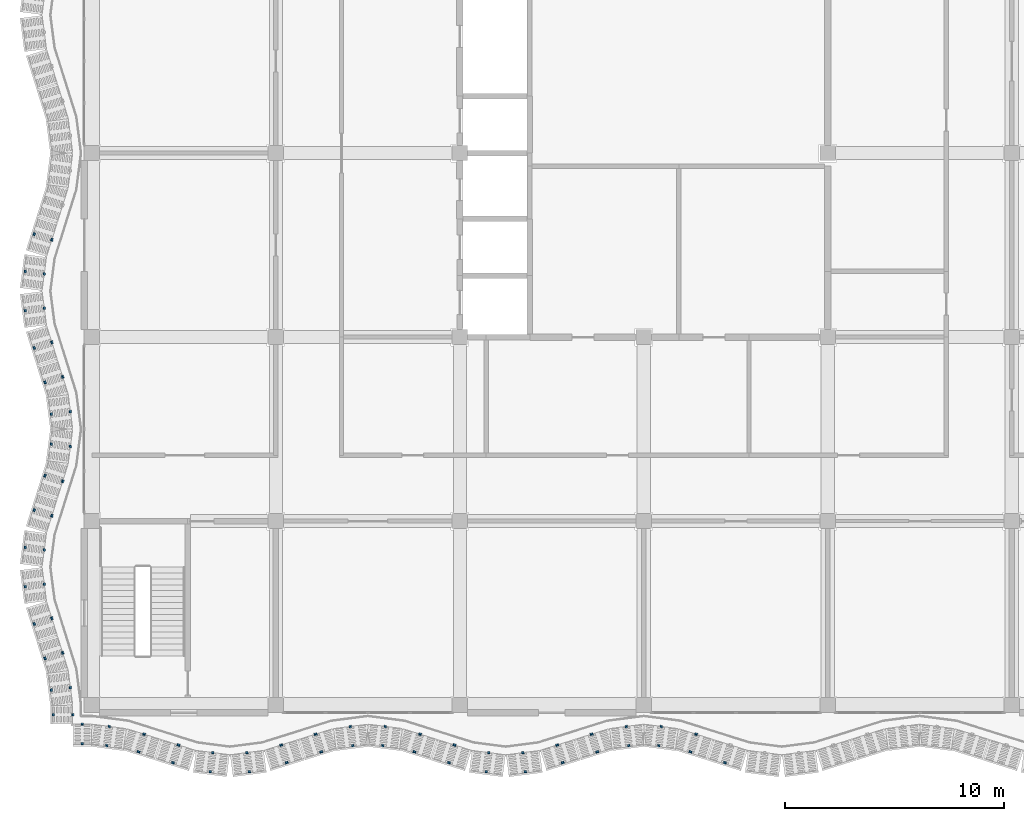
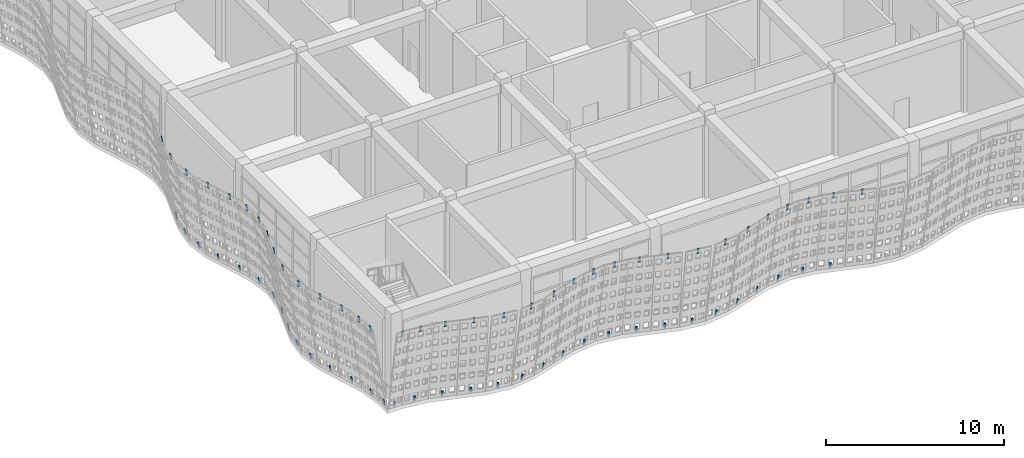
# One storey, part 134 of 210: 69 discrete accessories.
"""IFC4 building model written with IfcOpenShell, lengths in metres."""

from ifc_helpers import new_model, si_unit, direction, frame, origin, origin_2d, place, context, subcontext, project, spatial, rectangle, extrude, material, material_profile, profile_set, type_object, element, save


model = new_model("IFC4")

# Units and contexts
model_context = context("Model", 3, precision=1e-05, world=origin(), true_north=direction((0.0, 1.0)))
body_context = subcontext(model_context, "Body", "Model", "MODEL_VIEW")
ifc_project = project(units=[si_unit("LENGTHUNIT", "METRE"), si_unit("AREAUNIT", "SQUARE_METRE"), si_unit("VOLUMEUNIT", "CUBIC_METRE"), si_unit("PLANEANGLEUNIT", "RADIAN"), si_unit("MASSUNIT", "GRAM", prefix="KILO")], contexts=[model_context])

# Site, building, storey
site_placement = place(None, origin())
site = spatial("IfcSite", under=ifc_project, at=site_placement, CompositionType="ELEMENT")
building_placement = place(site_placement, origin())
building = spatial("IfcBuilding", under=site, at=building_placement, Name="Rain Tree Exposition and Congress Centre", CompositionType="ELEMENT")
storey_placement = place(building_placement, origin())
storey = spatial("IfcBuildingStorey", under=building, at=storey_placement, Name="L00", CompositionType="ELEMENT", Elevation=0.0)

# Discrete accessories
ifc_material = material(Name="Steel S355J2", Category="steel")
ifc_material_profile = material_profile(ifc_material, rectangle(XDim=0.1201171875, YDim=0.050048828125, at=origin_2d()), Name="Flat bar 120x50")
ifc_profile_set = profile_set([ifc_material_profile], Name="Steel S355J2")
discrete_accessory_type = type_object("IfcDiscreteAccessoryType", Name="Screen bracket 120x50", PredefinedType="BRACKET", material=ifc_profile_set)
for number, where, z_axis, x_axis, name in (
    (1, (0.687744140625, -1.818603515625, 5.351318359375), (-0.020749404626, -0.160502747552, 0.986817272972), (0.991746960377, -0.128210633661, 0.0), "wing/bracket/L00/0011t"),
    (2, (0.80078125, -0.94970703125, 0.00390625), (-0.020749404626, -0.160502747552, 0.986817272972), (0.991746960377, -0.128210633661, 0.0), "wing/bracket/L00/0011b"),
):
    element("IfcDiscreteAccessory", number, at=place(storey_placement, frame(where, z_axis=z_axis, x_axis=x_axis)), inside=storey, type_object=discrete_accessory_type, Name=name, PredefinedType="BRACKET", context=body_context, shape_type="SweptSolid", body=[
        extrude(rectangle(XDim=0.1201171875, YDim=0.050048828125, at=origin_2d()), origin(), (0.0, 0.0, 1.0), 0.400146484375),
    ])
for number, where, z_axis, x_axis, name in (
    (3, (2.140869140625, -2.10791015625, 5.35107421875), (-0.047009791021, -0.14835557426, 0.987816128201), (0.953285755706, -0.302069971973, 0.0), "wing/bracket/L00/0021t"),
    (4, (2.3935546875, -1.3037109375, 0.00390625), (-0.046400597335, -0.148359804637, 0.987844295896), (0.954410065476, -0.298498621301, 0.0), "wing/bracket/L00/0021b"),
    (5, (3.71240234375, -2.601806640625, 5.35107421875), (-0.046396386353, -0.148956819344, 0.987754646309), (0.954758063246, -0.297383659044, 0.0), "wing/bracket/L00/0031t"),
    (6, (3.965087890625, -1.797607421875, 0.00390625), (-0.046400597335, -0.148359804637, 0.987844295896), (0.954410065476, -0.298498621301, 0.0), "wing/bracket/L00/0031b"),
):
    element("IfcDiscreteAccessory", number, at=place(storey_placement, frame(where, z_axis=z_axis, x_axis=x_axis)), inside=storey, type_object=discrete_accessory_type, Name=name, PredefinedType="BRACKET", context=body_context, shape_type="SweptSolid", body=[
        extrude(rectangle(XDim=0.1201171875, YDim=0.050048828125, at=origin_2d()), origin(), (0.0, 0.0, 1.0), 0.39990234375),
    ])
for number, where, z_axis, x_axis, name in (
    (7, (5.4111328125, -3.013427734375, 5.351318359375), (-0.021359406786, -0.160500685277, 0.986804593507), (0.991260787426, -0.131916834829, 0.0), "wing/bracket/L00/0041t"),
    (8, (5.524169921875, -2.144287109375, 0.00390625), (-0.020749404626, -0.160502747552, 0.986817272972), (0.991746960377, -0.128210633661, 0.0), "wing/bracket/L00/0041b"),
    (9, (7.18896484375, -3.013427734375, 5.351318359375), (0.020749404626, -0.160502747552, 0.986817272972), (0.991746960377, 0.128210633661, 0.0), "wing/bracket/L00/0051t"),
    (10, (7.07568359375, -2.144287109375, 0.00390625), (0.020749404626, -0.160502747552, 0.986817272972), (0.991746960377, 0.128210633661, 0.0), "wing/bracket/L00/0051b"),
):
    element("IfcDiscreteAccessory", number, at=place(storey_placement, frame(where, z_axis=z_axis, x_axis=x_axis)), inside=storey, type_object=discrete_accessory_type, Name=name, PredefinedType="BRACKET", context=body_context, shape_type="SweptSolid", body=[
        extrude(rectangle(XDim=0.1201171875, YDim=0.050048828125, at=origin_2d()), origin(), (0.0, 0.0, 1.0), 0.400146484375),
    ])
for number, where, z_axis, x_axis, name in (
    (11, (8.887451171875, -2.601806640625, 5.35107421875), (0.047005524996, -0.148952572715, 0.987726486281), (0.953641715318, 0.300944311801, 0.0), "wing/bracket/L00/0061t"),
    (12, (8.634765625, -1.797607421875, 0.00390625), (0.046400597335, -0.148359804637, 0.987844295896), (0.954410065476, 0.298498621301, 0.0), "wing/bracket/L00/0061b"),
    (13, (10.459228515625, -2.10791015625, 5.35107421875), (0.046400597335, -0.148359804637, 0.987844295896), (0.954410065476, 0.298498621301, 0.0), "wing/bracket/L00/0071t"),
    (14, (10.206298828125, -1.3037109375, 0.00390625), (0.047009791021, -0.14835557426, 0.987816128201), (0.953285755706, 0.302069971973, 0.0), "wing/bracket/L00/0071b"),
):
    element("IfcDiscreteAccessory", number, at=place(storey_placement, frame(where, z_axis=z_axis, x_axis=x_axis)), inside=storey, type_object=discrete_accessory_type, Name=name, PredefinedType="BRACKET", context=body_context, shape_type="SweptSolid", body=[
        extrude(rectangle(XDim=0.1201171875, YDim=0.050048828125, at=origin_2d()), origin(), (0.0, 0.0, 1.0), 0.39990234375),
    ])
for number, where, z_axis, x_axis, name in (
    (15, (11.912109375, -1.818603515625, 5.351318359375), (0.021359406786, -0.160500685277, 0.986804593507), (0.991260787426, 0.131916834829, 0.0), "wing/bracket/L00/0081t"),
    (16, (11.799072265625, -0.94970703125, 0.00390625), (0.021359406786, -0.160500685277, 0.986804593507), (0.991260787426, 0.131916834829, 0.0), "wing/bracket/L00/0081b"),
    (17, (13.287841796875, -1.818603515625, 5.351318359375), (-0.021359406786, -0.160500685277, 0.986804593507), (0.991260787426, -0.131916834829, 0.0), "wing/bracket/L00/0091t"),
    (18, (13.40087890625, -0.94970703125, 0.00390625), (-0.020749404626, -0.160502747552, 0.986817272972), (0.991746960377, -0.128210633661, 0.0), "wing/bracket/L00/0091b"),
):
    element("IfcDiscreteAccessory", number, at=place(storey_placement, frame(where, z_axis=z_axis, x_axis=x_axis)), inside=storey, type_object=discrete_accessory_type, Name=name, PredefinedType="BRACKET", context=body_context, shape_type="SweptSolid", body=[
        extrude(rectangle(XDim=0.1201171875, YDim=0.050048828125, at=origin_2d()), origin(), (0.0, 0.0, 1.0), 0.400146484375),
    ])
for number, where, z_axis, x_axis, name in (
    (19, (14.74072265625, -2.10791015625, 5.35107421875), (-0.046400597335, -0.148359804637, 0.987844295896), (0.954410065476, -0.298498621301, 0.0), "wing/bracket/L00/0101t"),
    (20, (14.99365234375, -1.3037109375, 0.00390625), (-0.047009791021, -0.14835557426, 0.987816128201), (0.953285755706, -0.302069971973, 0.0), "wing/bracket/L00/0101b"),
    (21, (16.3125, -2.601806640625, 5.35107421875), (-0.047005524996, -0.148952572715, 0.987726486281), (0.953641715318, -0.300944311801, 0.0), "wing/bracket/L00/0111t"),
    (22, (16.565185546875, -1.797607421875, 0.00390625), (-0.046400597335, -0.148359804637, 0.987844295896), (0.954410065476, -0.298498621301, 0.0), "wing/bracket/L00/0111b"),
):
    element("IfcDiscreteAccessory", number, at=place(storey_placement, frame(where, z_axis=z_axis, x_axis=x_axis)), inside=storey, type_object=discrete_accessory_type, Name=name, PredefinedType="BRACKET", context=body_context, shape_type="SweptSolid", body=[
        extrude(rectangle(XDim=0.1201171875, YDim=0.050048828125, at=origin_2d()), origin(), (0.0, 0.0, 1.0), 0.39990234375),
    ])
for number, where, z_axis, x_axis, name in (
    (23, (18.010986328125, -3.013427734375, 5.351318359375), (-0.020749404626, -0.160502747552, 0.986817272972), (0.991746960377, -0.128210633661, 0.0), "wing/bracket/L00/0121t"),
    (24, (18.124267578125, -2.144287109375, 0.00390625), (-0.020749404626, -0.160502747552, 0.986817272972), (0.991746960377, -0.128210633661, 0.0), "wing/bracket/L00/0121b"),
    (25, (19.788818359375, -3.013427734375, 5.351318359375), (0.021359406786, -0.160500685277, 0.986804593507), (0.991260787426, 0.131916834829, 0.0), "wing/bracket/L00/0131t"),
    (26, (19.67578125, -2.144287109375, 0.00390625), (0.020749404626, -0.160502747552, 0.986817272972), (0.991746960377, 0.128210633661, 0.0), "wing/bracket/L00/0131b"),
):
    element("IfcDiscreteAccessory", number, at=place(storey_placement, frame(where, z_axis=z_axis, x_axis=x_axis)), inside=storey, type_object=discrete_accessory_type, Name=name, PredefinedType="BRACKET", context=body_context, shape_type="SweptSolid", body=[
        extrude(rectangle(XDim=0.1201171875, YDim=0.050048828125, at=origin_2d()), origin(), (0.0, 0.0, 1.0), 0.400146484375),
    ])
for number, where, z_axis, x_axis, name in (
    (27, (21.487548828125, -2.601806640625, 5.35107421875), (0.046396386353, -0.148956819344, 0.987754646309), (0.954758063246, 0.297383659044, 0.0), "wing/bracket/L00/0141t"),
    (28, (21.23486328125, -1.797607421875, 0.00390625), (0.046400597335, -0.148359804637, 0.987844295896), (0.954410065476, 0.298498621301, 0.0), "wing/bracket/L00/0141b"),
    (29, (23.05908203125, -2.10791015625, 5.35107421875), (0.047009791021, -0.14835557426, 0.987816128201), (0.953285755706, 0.302069971973, 0.0), "wing/bracket/L00/0151t"),
    (30, (22.806396484375, -1.3037109375, 0.00390625), (0.047009791021, -0.14835557426, 0.987816128201), (0.953285755706, 0.302069971973, 0.0), "wing/bracket/L00/0151b"),
):
    element("IfcDiscreteAccessory", number, at=place(storey_placement, frame(where, z_axis=z_axis, x_axis=x_axis)), inside=storey, type_object=discrete_accessory_type, Name=name, PredefinedType="BRACKET", context=body_context, shape_type="SweptSolid", body=[
        extrude(rectangle(XDim=0.1201171875, YDim=0.050048828125, at=origin_2d()), origin(), (0.0, 0.0, 1.0), 0.39990234375),
    ])
for number, where, z_axis, x_axis, name in (
    (31, (24.51220703125, -1.818603515625, 5.351318359375), (0.020749404626, -0.160502747552, 0.986817272972), (0.991746960377, 0.128210633661, 0.0), "wing/bracket/L00/0161t"),
    (32, (24.399169921875, -0.94970703125, 0.00390625), (0.020749404626, -0.160502747552, 0.986817272972), (0.991746960377, 0.128210633661, 0.0), "wing/bracket/L00/0161b"),
    (33, (25.8876953125, -1.818603515625, 5.351318359375), (-0.020749404626, -0.160502747552, 0.986817272972), (0.991746960377, -0.128210633661, 0.0), "wing/bracket/L00/0171t"),
    (34, (26.0009765625, -0.94970703125, 0.00390625), (-0.021359406786, -0.160500685277, 0.986804593507), (0.991260787426, -0.131916834829, 0.0), "wing/bracket/L00/0171b"),
):
    element("IfcDiscreteAccessory", number, at=place(storey_placement, frame(where, z_axis=z_axis, x_axis=x_axis)), inside=storey, type_object=discrete_accessory_type, Name=name, PredefinedType="BRACKET", context=body_context, shape_type="SweptSolid", body=[
        extrude(rectangle(XDim=0.1201171875, YDim=0.050048828125, at=origin_2d()), origin(), (0.0, 0.0, 1.0), 0.400146484375),
    ])
for number, where, z_axis, x_axis, name in (
    (35, (27.3408203125, -2.10791015625, 5.35107421875), (-0.047009791021, -0.14835557426, 0.987816128201), (0.953285755706, -0.302069971973, 0.0), "wing/bracket/L00/0181t"),
    (36, (27.593505859375, -1.3037109375, 0.00390625), (-0.046400597335, -0.148359804637, 0.987844295896), (0.954410065476, -0.298498621301, 0.0), "wing/bracket/L00/0181b"),
    (37, (28.91259765625, -2.601806640625, 5.35107421875), (-0.047005524996, -0.148952572715, 0.987726486281), (0.953641715318, -0.300944311801, 0.0), "wing/bracket/L00/0191t"),
    (38, (-2.601806640625, 21.487548828125, 5.35107421875), (-0.148956819344, 0.046396386353, 0.987754646309), (-0.297383659044, -0.954758063246, 0.0), "wing/bracket/L00/1211t"),
    (39, (-1.797607421875, 21.23486328125, 0.00390625), (-0.148359804637, 0.046400597335, 0.987844295896), (-0.298498621301, -0.954410065476, 0.0), "wing/bracket/L00/1211b"),
):
    element("IfcDiscreteAccessory", number, at=place(storey_placement, frame(where, z_axis=z_axis, x_axis=x_axis)), inside=storey, type_object=discrete_accessory_type, Name=name, PredefinedType="BRACKET", context=body_context, shape_type="SweptSolid", body=[
        extrude(rectangle(XDim=0.1201171875, YDim=0.050048828125, at=origin_2d()), origin(), (0.0, 0.0, 1.0), 0.39990234375),
    ])
for number, where, z_axis, x_axis, name in (
    (40, (-3.013427734375, 19.788818359375, 5.351318359375), (-0.160500685277, 0.021359406786, 0.986804593507), (-0.131916834829, -0.991260787426, 0.0), "wing/bracket/L00/1221t"),
    (41, (-2.144287109375, 19.67578125, 0.00390625), (-0.160502747552, 0.020749404626, 0.986817272972), (-0.128210633661, -0.991746960377, 0.0), "wing/bracket/L00/1221b"),
    (42, (-3.013427734375, 18.010986328125, 5.351318359375), (-0.160502747552, -0.020749404626, 0.986817272972), (0.128210633661, -0.991746960377, 0.0), "wing/bracket/L00/1231t"),
    (43, (-2.144287109375, 18.124267578125, 0.00390625), (-0.160502747552, -0.020749404626, 0.986817272972), (0.128210633661, -0.991746960377, 0.0), "wing/bracket/L00/1231b"),
):
    element("IfcDiscreteAccessory", number, at=place(storey_placement, frame(where, z_axis=z_axis, x_axis=x_axis)), inside=storey, type_object=discrete_accessory_type, Name=name, PredefinedType="BRACKET", context=body_context, shape_type="SweptSolid", body=[
        extrude(rectangle(XDim=0.1201171875, YDim=0.050048828125, at=origin_2d()), origin(), (0.0, 0.0, 1.0), 0.400146484375),
    ])
for number, where, z_axis, x_axis, name in (
    (44, (-2.601806640625, 16.3125, 5.35107421875), (-0.148952572715, -0.047005524996, 0.987726486281), (0.300944311801, -0.953641715318, 0.0), "wing/bracket/L00/1241t"),
    (45, (-1.797607421875, 16.565185546875, 0.00390625), (-0.148359804637, -0.046400597335, 0.987844295896), (0.298498621301, -0.954410065476, 0.0), "wing/bracket/L00/1241b"),
    (46, (-2.10791015625, 14.74072265625, 5.35107421875), (-0.148359804637, -0.046400597335, 0.987844295896), (0.298498621301, -0.954410065476, 0.0), "wing/bracket/L00/1251t"),
    (47, (-1.3037109375, 14.99365234375, 0.00390625), (-0.14835557426, -0.047009791021, 0.987816128201), (0.302069971973, -0.953285755706, 0.0), "wing/bracket/L00/1251b"),
):
    element("IfcDiscreteAccessory", number, at=place(storey_placement, frame(where, z_axis=z_axis, x_axis=x_axis)), inside=storey, type_object=discrete_accessory_type, Name=name, PredefinedType="BRACKET", context=body_context, shape_type="SweptSolid", body=[
        extrude(rectangle(XDim=0.1201171875, YDim=0.050048828125, at=origin_2d()), origin(), (0.0, 0.0, 1.0), 0.39990234375),
    ])
for number, where, z_axis, x_axis, name in (
    (48, (-1.818603515625, 13.287841796875, 5.351318359375), (-0.160500685277, -0.021359406786, 0.986804593507), (0.131916834829, -0.991260787426, 0.0), "wing/bracket/L00/1261t"),
    (49, (-0.94970703125, 13.40087890625, 0.00390625), (-0.160502747552, -0.020749404626, 0.986817272972), (0.128210633661, -0.991746960377, 0.0), "wing/bracket/L00/1261b"),
    (50, (-1.818603515625, 11.912109375, 5.351318359375), (-0.160500685277, 0.021359406786, 0.986804593507), (-0.131916834829, -0.991260787426, 0.0), "wing/bracket/L00/1271t"),
    (51, (-0.94970703125, 11.799072265625, 0.00390625), (-0.160500685277, 0.021359406786, 0.986804593507), (-0.131916834829, -0.991260787426, 0.0), "wing/bracket/L00/1271b"),
):
    element("IfcDiscreteAccessory", number, at=place(storey_placement, frame(where, z_axis=z_axis, x_axis=x_axis)), inside=storey, type_object=discrete_accessory_type, Name=name, PredefinedType="BRACKET", context=body_context, shape_type="SweptSolid", body=[
        extrude(rectangle(XDim=0.1201171875, YDim=0.050048828125, at=origin_2d()), origin(), (0.0, 0.0, 1.0), 0.400146484375),
    ])
for number, where, z_axis, x_axis, name in (
    (52, (-2.10791015625, 10.459228515625, 5.35107421875), (-0.148359804637, 0.046400597335, 0.987844295896), (-0.298498621301, -0.954410065476, 0.0), "wing/bracket/L00/1281t"),
    (53, (-1.3037109375, 10.206298828125, 0.00390625), (-0.14835557426, 0.047009791021, 0.987816128201), (-0.302069971973, -0.953285755706, 0.0), "wing/bracket/L00/1281b"),
    (54, (-2.601806640625, 8.887451171875, 5.35107421875), (-0.148952572715, 0.047005524996, 0.987726486281), (-0.300944311801, -0.953641715318, 0.0), "wing/bracket/L00/1291t"),
    (55, (-1.797607421875, 8.634765625, 0.00390625), (-0.148359804637, 0.046400597335, 0.987844295896), (-0.298498621301, -0.954410065476, 0.0), "wing/bracket/L00/1291b"),
):
    element("IfcDiscreteAccessory", number, at=place(storey_placement, frame(where, z_axis=z_axis, x_axis=x_axis)), inside=storey, type_object=discrete_accessory_type, Name=name, PredefinedType="BRACKET", context=body_context, shape_type="SweptSolid", body=[
        extrude(rectangle(XDim=0.1201171875, YDim=0.050048828125, at=origin_2d()), origin(), (0.0, 0.0, 1.0), 0.39990234375),
    ])
for number, where, z_axis, x_axis, name in (
    (56, (-3.013427734375, 7.18896484375, 5.351318359375), (-0.160502747552, 0.020749404626, 0.986817272972), (-0.128210633661, -0.991746960377, 0.0), "wing/bracket/L00/1301t"),
    (57, (-2.144287109375, 7.07568359375, 0.00390625), (-0.160502747552, 0.020749404626, 0.986817272972), (-0.128210633661, -0.991746960377, 0.0), "wing/bracket/L00/1301b"),
    (58, (-3.013427734375, 5.4111328125, 5.351318359375), (-0.160500685277, -0.021359406786, 0.986804593507), (0.131916834829, -0.991260787426, 0.0), "wing/bracket/L00/1311t"),
    (59, (-2.144287109375, 5.524169921875, 0.00390625), (-0.160502747552, -0.020749404626, 0.986817272972), (0.128210633661, -0.991746960377, 0.0), "wing/bracket/L00/1311b"),
):
    element("IfcDiscreteAccessory", number, at=place(storey_placement, frame(where, z_axis=z_axis, x_axis=x_axis)), inside=storey, type_object=discrete_accessory_type, Name=name, PredefinedType="BRACKET", context=body_context, shape_type="SweptSolid", body=[
        extrude(rectangle(XDim=0.1201171875, YDim=0.050048828125, at=origin_2d()), origin(), (0.0, 0.0, 1.0), 0.400146484375),
    ])
for number, where, z_axis, x_axis, name in (
    (60, (-2.601806640625, 3.71240234375, 5.35107421875), (-0.148956819344, -0.046396386353, 0.987754646309), (0.297383659044, -0.954758063246, 0.0), "wing/bracket/L00/1321t"),
    (61, (-1.797607421875, 3.965087890625, 0.00390625), (-0.148359804637, -0.046400597335, 0.987844295896), (0.298498621301, -0.954410065476, 0.0), "wing/bracket/L00/1321b"),
    (62, (-2.10791015625, 2.140869140625, 5.35107421875), (-0.14835557426, -0.047009791021, 0.987816128201), (0.302069971973, -0.953285755706, 0.0), "wing/bracket/L00/1331t"),
    (63, (-1.3037109375, 2.3935546875, 0.00390625), (-0.148359804637, -0.046400597335, 0.987844295896), (0.298498621301, -0.954410065476, 0.0), "wing/bracket/L00/1331b"),
):
    element("IfcDiscreteAccessory", number, at=place(storey_placement, frame(where, z_axis=z_axis, x_axis=x_axis)), inside=storey, type_object=discrete_accessory_type, Name=name, PredefinedType="BRACKET", context=body_context, shape_type="SweptSolid", body=[
        extrude(rectangle(XDim=0.1201171875, YDim=0.050048828125, at=origin_2d()), origin(), (0.0, 0.0, 1.0), 0.39990234375),
    ])
for number, where, z_axis, x_axis, name in (
    (64, (-1.818603515625, 0.687744140625, 5.351318359375), (-0.160502747552, -0.020749404626, 0.986817272972), (0.128210633661, -0.991746960377, 0.0), "wing/bracket/L00/1341t"),
    (65, (-0.94970703125, 0.80078125, 0.00390625), (-0.160502747552, -0.020749404626, 0.986817272972), (0.128210633661, -0.991746960377, 0.0), "wing/bracket/L00/1341b"),
):
    element("IfcDiscreteAccessory", number, at=place(storey_placement, frame(where, z_axis=z_axis, x_axis=x_axis)), inside=storey, type_object=discrete_accessory_type, Name=name, PredefinedType="BRACKET", context=body_context, shape_type="SweptSolid", body=[
        extrude(rectangle(XDim=0.1201171875, YDim=0.050048828125, at=origin_2d()), origin(), (0.0, 0.0, 1.0), 0.400146484375),
    ])
for number, where, z_axis, x_axis, name in (
    (66, (-1.72998046875, -0.43505859375, 5.351318359375), (-0.163012746375, 0.0, 0.986623963078), (0.0, -1.0, 0.0), "wing/bracket/L00/1351t"),
    (67, (-0.84619140625, -0.43505859375, 0.004150390625), (-0.163606968355, 0.0, 0.986525600228), (0.0, -1.0, 0.0), "wing/bracket/L00/1351b"),
    (68, (-0.43505859375, -1.72998046875, 5.351318359375), (0.0, -0.163012746375, 0.986623963078), (1.0, 0.0, 0.0), "wing/bracket/L00/1361t"),
    (69, (-0.43505859375, -0.84619140625, 0.004150390625), (0.0, -0.163606968355, 0.986525600228), (1.0, 0.0, 0.0), "wing/bracket/L00/1361b"),
):
    element("IfcDiscreteAccessory", number, at=place(storey_placement, frame(where, z_axis=z_axis, x_axis=x_axis)), inside=storey, type_object=discrete_accessory_type, Name=name, PredefinedType="BRACKET", context=body_context, shape_type="SweptSolid", body=[
        extrude(rectangle(XDim=0.1201171875, YDim=0.050048828125, at=origin_2d()), origin(), (0.0, 0.0, 1.0), 0.39990234375),
    ])

save(model, "model.ifc")
